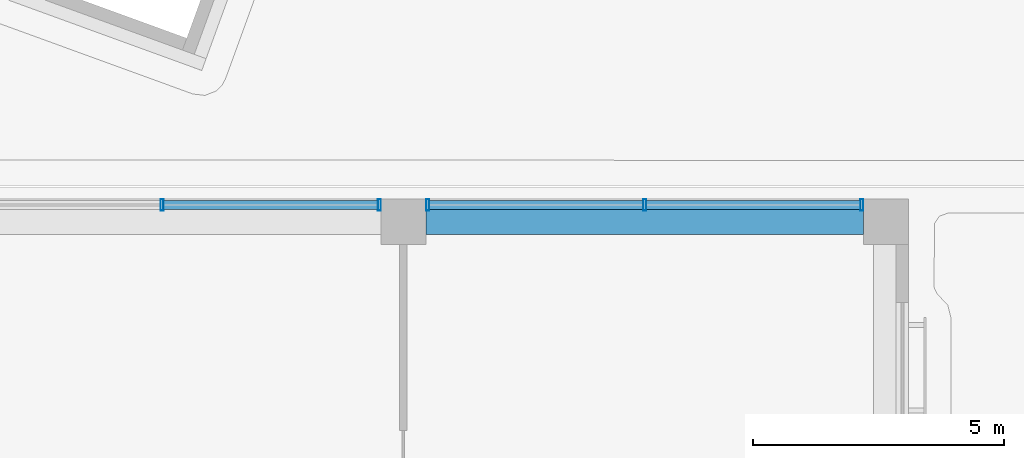
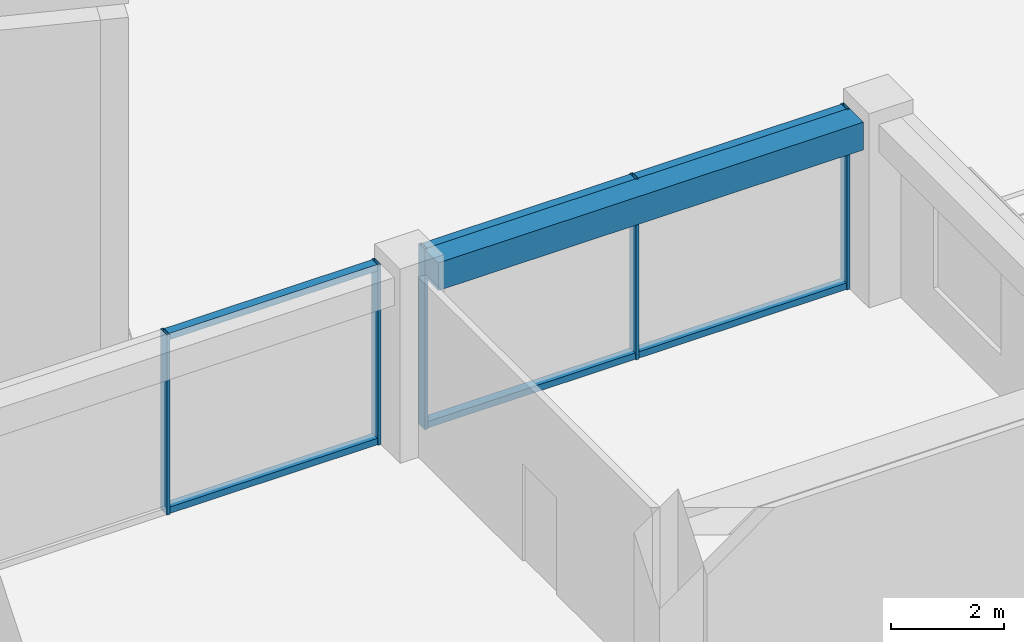
# One storey, part 30 of 72: 11 members, 1 beam, 2 elements without a shape of their own.
"""IFC4 building model written with IfcOpenShell, lengths in metres."""

import ifcopenshell
import ifcopenshell.guid

model = None  # the IFC model being written
_history = None  # IfcOwnerHistory: only IFC2X3 demands one
_inside = {}  # id of a spatial element -> (the spatial element, [elements in it])
_under = {}  # id of a project, library or spatial element -> (it, [spatial elements below it])
_declared = {}  # id of a project -> (the project, [libraries it declares])
_typed = {}  # id of a type object -> (the type object, [elements of that type])
_made_of = {}  # id of a material, layer set ... -> (it, [elements and type objects made of it])


def new_model(schema):
    """Start an empty IFC model of exactly this schema.

    Asked for "IFC4X3", IfcOpenShell would pick the latest addendum, in which some entities
    have other attributes; the version numbers below select the first issue.
    IFC2X3 requires an IfcOwnerHistory on every rooted entity: one is made here for all.
    """
    global model, _history
    if schema == "IFC4X3":
        model = ifcopenshell.file(schema_version=(4, 3, 0, 0))
    else:
        model = ifcopenshell.file(schema=schema)
    _inside.clear()
    _under.clear()
    _declared.clear()
    _typed.clear()
    _made_of.clear()
    _history = None
    if model.schema == "IFC2X3":
        org = make("IfcOrganization", Name="unknown")
        user = make(
            "IfcPersonAndOrganization",
            ThePerson=make("IfcPerson", FamilyName="unknown"),
            TheOrganization=org,
        )
        app = make(
            "IfcApplication",
            ApplicationDeveloper=org,
            Version="unknown",
            ApplicationFullName="unknown",
            ApplicationIdentifier="unknown",
        )
        _history = make(
            "IfcOwnerHistory",
            OwningUser=user,
            OwningApplication=app,
            ChangeAction="ADDED",
            CreationDate=0,
        )
    return model


def make(cls, **values):
    """One entity of the class cls with the attributes given. An attribute that is None is left unset."""
    return model.create_entity(
        cls, **{name: value for name, value in values.items() if value is not None}
    )


def rooted(cls, **values):
    """An entity with a GlobalId (a new one), such as an element, a storey or a relation."""
    return make(cls, GlobalId=ifcopenshell.guid.new(), OwnerHistory=_history, **values)


def si_unit(unit_type, name, prefix=None):
    """IfcSIUnit, for example si_unit("LENGTHUNIT", "METRE", prefix="MILLI")."""
    return make("IfcSIUnit", UnitType=unit_type, Prefix=prefix, Name=name)


def assignment(units):
    """IfcUnitAssignment: the units of a project."""
    return None if units is None else make("IfcUnitAssignment", Units=units)


def point(xyz):
    """IfcCartesianPoint."""
    return None if xyz is None else make("IfcCartesianPoint", Coordinates=xyz)


def direction(xyz):
    """IfcDirection."""
    return None if xyz is None else make("IfcDirection", DirectionRatios=xyz)


def frame(location, z_axis=None, x_axis=None):
    """IfcAxis2Placement3D, a coordinate frame: its origin and axes. An axis left out is left unset."""
    return make(
        "IfcAxis2Placement3D",
        Location=point(location),
        Axis=direction(z_axis),
        RefDirection=direction(x_axis),
    )


def frame_2d(location, x_axis=None):
    """IfcAxis2Placement2D, a coordinate frame in the plane: its origin and x axis."""
    return make(
        "IfcAxis2Placement2D", Location=point(location), RefDirection=direction(x_axis)
    )


def origin():
    """The frame at (0, 0, 0) with its axes left unset."""
    return frame((0.0, 0.0, 0.0))


def origin_2d():
    """The frame at (0, 0) in the plane with its x axis left unset."""
    return frame_2d((0.0, 0.0))


def place(relative_to, where):
    """IfcLocalPlacement: puts the frame where relative to a parent placement (None: the world)."""
    return make(
        "IfcLocalPlacement", PlacementRelTo=relative_to, RelativePlacement=where
    )


def context(
    kind, dimensions, precision=None, world=None, true_north=None, identifier=None
):
    """IfcGeometricRepresentationContext, for example the 3D "Model" context."""
    return make(
        "IfcGeometricRepresentationContext",
        ContextIdentifier=identifier,
        ContextType=kind,
        CoordinateSpaceDimension=dimensions,
        Precision=precision,
        WorldCoordinateSystem=world,
        TrueNorth=true_north,
    )


def subcontext(parent, identifier, kind, view, scale=None):
    """IfcGeometricRepresentationSubContext, for example "Body" below "Model"."""
    return make(
        "IfcGeometricRepresentationSubContext",
        ContextIdentifier=identifier,
        ContextType=kind,
        ParentContext=parent,
        TargetScale=scale,
        TargetView=view,
    )


def project(units=None, contexts=None):
    """IfcProject with its units and contexts."""
    return rooted(
        "IfcProject",
        Name="project",
        RepresentationContexts=contexts,
        UnitsInContext=assignment(units),
    )


def spatial(cls, under=None, at=None, **own):
    """A site, building, storey or space (cls), placed at a placement, below another one or the project."""
    s = rooted(cls, ObjectPlacement=at, **own)
    if under is not None:
        _under.setdefault(under.id(), (under, []))[1].append(s)
    return s


def profile(cls, at=None, kind="AREA", **sizes):
    """A parametric profile (cls). Its sizes go by their IFC names, for example OverallWidth=200.0."""
    return make(cls, ProfileType=kind, Position=at, **sizes)


def rectangle(**sizes):
    """IfcRectangleProfileDef."""
    return profile("IfcRectangleProfileDef", **sizes)


def hollow_rectangle(**sizes):
    """IfcRectangleHollowProfileDef."""
    return profile("IfcRectangleHollowProfileDef", **sizes)


def extrude(swept, where, along, depth):
    """IfcExtrudedAreaSolid: the profile swept, set in the frame where, extruded along a direction by depth."""
    return make(
        "IfcExtrudedAreaSolid",
        SweptArea=swept,
        Position=where,
        ExtrudedDirection=direction(along),
        Depth=depth,
    )


def shape(context_of_items, identifier, shape_type, items):
    """IfcShapeRepresentation: the items that make up one representation, for example the "Body"."""
    return make(
        "IfcShapeRepresentation",
        ContextOfItems=context_of_items,
        RepresentationIdentifier=identifier,
        RepresentationType=shape_type,
        Items=items,
    )


def material(Name=None, Category=None):
    """IfcMaterial."""
    return make("IfcMaterial", Name=Name, Category=Category)


def layer(
    of_material, thickness, ventilated=None, Name=None, Category=None, Priority=None
):
    """IfcMaterialLayer: one layer of a wall or slab, of a material (None: an air gap)."""
    return make(
        "IfcMaterialLayer",
        Material=of_material,
        LayerThickness=thickness,
        IsVentilated=ventilated,
        Name=Name,
        Category=Category,
        Priority=Priority,
    )


def layer_set(layers, Name=None):
    """IfcMaterialLayerSet."""
    return make("IfcMaterialLayerSet", MaterialLayers=layers, LayerSetName=Name)


def material_profile(
    of_material, cross_section, Name=None, Category=None, Priority=None
):
    """IfcMaterialProfile: a cross section and its material."""
    return make(
        "IfcMaterialProfile",
        Name=Name,
        Material=of_material,
        Profile=cross_section,
        Priority=Priority,
        Category=Category,
    )


def profile_set(profiles, Name=None, composite=None):
    """IfcMaterialProfileSet."""
    return make(
        "IfcMaterialProfileSet",
        Name=Name,
        MaterialProfiles=profiles,
        CompositeProfile=composite,
    )


def made_of(thing, what):
    """Note that an element or type object is made of a material, layer set ...; save() writes the relation."""
    if what is not None:
        _made_of.setdefault(what.id(), (what, []))[1].append(thing)
    return thing


def type_object(cls, material=None, **own):
    """A type object (cls), such as IfcWallType, which elements share."""
    return made_of(rooted(cls, **own), material)


def element(
    cls,
    number,
    at=None,
    inside=None,
    cuts=None,
    type_object=None,
    material=None,
    context=None,
    identifier="Body",
    shape_type=None,
    held_by="IfcProductDefinitionShape",
    body=None,
    shapes=None,
    **own,
):
    """One element of the class cls, such as IfcWall. Its Tag is "e" and its number.

    at: its placement. inside: the storey or other place that contains it. cuts: it is an
    opening in that element (IfcRelVoidsElement). A single representation is given by context,
    identifier, shape_type and body (its items); several are given by shapes. held_by: the class
    of the entity that holds the representations. save() writes the other relations.
    """
    e = rooted(cls, Tag="e%d" % number, ObjectPlacement=at, **own)
    if body is not None:
        shapes = [shape(context, identifier, shape_type, body)]
    if shapes is not None:
        e.Representation = make(held_by, Representations=shapes)
    if inside is not None:
        _inside.setdefault(inside.id(), (inside, []))[1].append(e)
    if cuts is not None:
        rooted(
            "IfcRelVoidsElement", RelatingBuildingElement=cuts, RelatedOpeningElement=e
        )
    if type_object is not None:
        _typed.setdefault(type_object.id(), (type_object, []))[1].append(e)
    return made_of(e, material)


def aggregate(whole, parts):
    """IfcRelAggregates: a whole, such as a stair, and the parts it consists of."""
    return rooted("IfcRelAggregates", RelatingObject=whole, RelatedObjects=parts)


def save(model, path):
    """Write the relations noted so far, then the file.

    IfcRelAggregates (storeys below a building ...), IfcRelContainedInSpatialStructure (elements
    in a storey), IfcRelDefinesByType, IfcRelAssociatesMaterial and IfcRelDeclares: one each for
    every whole, place, type object, material and project.
    """
    for whole, parts in _under.values():
        aggregate(whole, parts)
    for where, things in _inside.values():
        rooted(
            "IfcRelContainedInSpatialStructure",
            RelatedElements=things,
            RelatingStructure=where,
        )
    for kind, things in _typed.values():
        rooted("IfcRelDefinesByType", RelatedObjects=things, RelatingType=kind)
    for what, things in _made_of.values():
        rooted("IfcRelAssociatesMaterial", RelatedObjects=things, RelatingMaterial=what)
    for by, libraries in _declared.values():
        rooted("IfcRelDeclares", RelatingContext=by, RelatedDefinitions=libraries)
    model.write(path)


model = new_model("IFC4")

# Units and contexts
model_context = context("Model", 3, precision=1e-05, world=origin(), true_north=direction((0.0, 1.0)))
body_context = subcontext(model_context, "Body", "Model", "MODEL_VIEW")
ifc_project = project(units=[si_unit("LENGTHUNIT", "METRE"), si_unit("AREAUNIT", "SQUARE_METRE"), si_unit("VOLUMEUNIT", "CUBIC_METRE"), si_unit("PLANEANGLEUNIT", "RADIAN"), si_unit("MASSUNIT", "GRAM", prefix="KILO")], contexts=[model_context])

# Site, building, storey
site_placement = place(None, origin())
site = spatial("IfcSite", under=ifc_project, at=site_placement, CompositionType="ELEMENT")
building_placement = place(site_placement, origin())
building = spatial("IfcBuilding", under=site, at=building_placement, Name="Nzadi Deep Aquarium and Research Tower", CompositionType="ELEMENT")
storey_placement = place(building_placement, frame((0.0, 0.0, 31.89990234375)))
storey = spatial("IfcBuildingStorey", under=building, at=storey_placement, Name="L05", CompositionType="ELEMENT", Elevation=31.89990234375)

# Curtain wall, members
ifc_material_1 = material(Name="Aluminium unitised frame deep", Category="aluminium")
ifc_layer = layer(ifc_material_1, 0.22509765625)
ifc_layer_set = layer_set([ifc_layer], Name="Aluminium unitised frame deep")
curtain_wall_type = type_object("IfcCurtainWallType", Name="Curtain wall Unitised Deep 225", PredefinedType="NOTDEFINED", material=ifc_layer_set)
curtain_wall_1_placement = place(storey_placement, origin())
curtain_wall_1 = element("IfcCurtainWall", 1, at=curtain_wall_1_placement, inside=storey, type_object=curtain_wall_type, Name="Unitised curtain wall blade B north L05", PredefinedType="NOTDEFINED")
ifc_material_2 = material(Name="Aluminium unitised frame deep", Category="aluminium")
ifc_material_profile_1 = material_profile(ifc_material_2, hollow_rectangle(XDim=0.22509765625, YDim=0.06005859375, WallThickness=0.0048828125, at=origin_2d()))
ifc_profile_set_1 = profile_set([ifc_material_profile_1], Name="Aluminium unitised frame deep")
member_type_1 = type_object("IfcMemberType", Name="Mullion 60x225 Unitised Deep", PredefinedType="MULLION", material=ifc_profile_set_1)
member_1_placement = place(storey_placement, frame((33.60009765625, 46.33740234375, 0.0), z_axis=(0.0, 0.0, 1.0), x_axis=(0.0, 1.0, 0.0)))
member_1 = element("IfcMember", 2, at=member_1_placement, type_object=member_type_1, Name="CW086 mullion 2", PredefinedType="MULLION", context=body_context, shape_type="SweptSolid", body=[
    extrude(hollow_rectangle(XDim=0.22509765625, YDim=0.06005859375, WallThickness=0.0048828125, at=origin_2d()), origin(), (0.0, 0.0, 1.0), 3.900146484375),
])
member_2_placement = place(storey_placement, frame((37.919921875, 46.33740234375, 0.0), z_axis=(0.0, 0.0, 1.0), x_axis=(0.0, 1.0, 0.0)))
member_2 = element("IfcMember", 3, at=member_2_placement, type_object=member_type_1, Name="CW086 mullion 3", PredefinedType="MULLION", context=body_context, shape_type="SweptSolid", body=[
    extrude(hollow_rectangle(XDim=0.22509765625, YDim=0.06005859375, WallThickness=0.0048828125, at=origin_2d()), origin(), (0.0, 0.0, 1.0), 3.900146484375),
])

curtain_wall_2_placement = place(storey_placement, origin())
curtain_wall_2 = element("IfcCurtainWall", 4, at=curtain_wall_2_placement, inside=storey, type_object=curtain_wall_type, Name="Unitised curtain wall blade B north L05", PredefinedType="NOTDEFINED")
member_3_placement = place(storey_placement, frame((38.8798828125, 46.33740234375, 0.0), z_axis=(0.0, 0.0, 1.0), x_axis=(0.0, 1.0, 0.0)))
member_3 = element("IfcMember", 5, at=member_3_placement, type_object=member_type_1, Name="CW087 mullion 1", PredefinedType="MULLION", context=body_context, shape_type="SweptSolid", body=[
    extrude(hollow_rectangle(XDim=0.22509765625, YDim=0.06005859375, WallThickness=0.0048828125, at=origin_2d()), origin(), (0.0, 0.0, 1.0), 3.900146484375),
])
member_4_placement = place(storey_placement, frame((43.199951171875, 46.33740234375, 0.0), z_axis=(0.0, 0.0, 1.0), x_axis=(0.0, 1.0, 0.0)))
member_4 = element("IfcMember", 6, at=member_4_placement, type_object=member_type_1, Name="CW087 mullion 2", PredefinedType="MULLION", context=body_context, shape_type="SweptSolid", body=[
    extrude(hollow_rectangle(XDim=0.22509765625, YDim=0.06005859375, WallThickness=0.0048828125, at=origin_2d()), origin(), (0.0, 0.0, 1.0), 3.900146484375),
])
member_5_placement = place(storey_placement, frame((47.52001953125, 46.33740234375, 0.0), z_axis=(0.0, 0.0, 1.0), x_axis=(0.0, 1.0, 0.0)))
member_5 = element("IfcMember", 7, at=member_5_placement, type_object=member_type_1, Name="CW087 mullion 3", PredefinedType="MULLION", context=body_context, shape_type="SweptSolid", body=[
    extrude(hollow_rectangle(XDim=0.22509765625, YDim=0.06005859375, WallThickness=0.0048828125, at=origin_2d()), origin(), (0.0, 0.0, 1.0), 3.900146484375),
])

# Beam
ifc_material_3 = material(Name="Concrete C35/45", Category="concrete")
ifc_material_profile_2 = material_profile(ifc_material_3, rectangle(XDim=0.5, YDim=0.60009765625, at=origin_2d()))
ifc_profile_set_2 = profile_set([ifc_material_profile_2], Name="Concrete C35/45")
beam_type = type_object("IfcBeamType", Name="RC 500x600", PredefinedType="BEAM", material=ifc_profile_set_2)
beam_placement = place(storey_placement, frame((38.85009765625, 46.0, 3.60009765625), z_axis=(1.0, 0.0, 0.0), x_axis=(0.0, 1.0, 0.0)))
element("IfcBeam", 8, at=beam_placement, inside=storey, type_object=beam_type, Name="B-Z1-L05-L6-5", PredefinedType="BEAM", context=body_context, shape_type="SweptSolid", body=[
    extrude(rectangle(XDim=0.5, YDim=0.60009765625, at=origin_2d()), origin(), (0.0, 0.0, 1.0), 8.699951171875),
])

# Member
ifc_material_4 = material(Name="Aluminium unitised frame deep", Category="aluminium")
ifc_material_profile_3 = material_profile(ifc_material_4, hollow_rectangle(XDim=0.179931640625, YDim=0.139892578125, WallThickness=0.0048828125, at=origin_2d()))
ifc_profile_set_3 = profile_set([ifc_material_profile_3], Name="Aluminium unitised frame deep")
member_type_2 = type_object("IfcMemberType", Name="Transom 140x180 Unitised Deep", PredefinedType="MULLION", material=ifc_profile_set_3)
member_6_placement = place(storey_placement, frame((33.6298828125, 46.33740234375, 0.070068359375), z_axis=(1.0, 0.0, 0.0), x_axis=(0.0, 1.0, 0.0)))
member_6 = element("IfcMember", 9, at=member_6_placement, type_object=member_type_2, Name="CW086 transom 2.1", PredefinedType="MULLION", context=body_context, shape_type="SweptSolid", body=[
    extrude(hollow_rectangle(XDim=0.179931640625, YDim=0.139892578125, WallThickness=0.0048828125, at=origin_2d()), origin(), (0.0, 0.0, 1.0), 4.260009765625),
])

member_7_placement = place(storey_placement, frame((33.6298828125, 46.33740234375, 3.830078125), z_axis=(1.0, 0.0, 0.0), x_axis=(0.0, 1.0, 0.0)))
member_7 = element("IfcMember", 10, at=member_7_placement, type_object=member_type_2, Name="CW086 transom 2.2", PredefinedType="MULLION", context=body_context, shape_type="SweptSolid", body=[
    extrude(hollow_rectangle(XDim=0.179931640625, YDim=0.139892578125, WallThickness=0.0048828125, at=origin_2d()), origin(), (0.0, 0.0, 1.0), 4.260009765625),
])

aggregate(curtain_wall_1, [member_1, member_2, member_6, member_7])

member_8_placement = place(storey_placement, frame((38.909912109375, 46.33740234375, 0.070068359375), z_axis=(1.0, 0.0, 0.0), x_axis=(0.0, 1.0, 0.0)))
member_8 = element("IfcMember", 11, at=member_8_placement, type_object=member_type_2, Name="CW087 transom 1.1", PredefinedType="MULLION", context=body_context, shape_type="SweptSolid", body=[
    extrude(hollow_rectangle(XDim=0.179931640625, YDim=0.139892578125, WallThickness=0.0048828125, at=origin_2d()), origin(), (0.0, 0.0, 1.0), 4.260009765625),
])

member_9_placement = place(storey_placement, frame((38.909912109375, 46.33740234375, 3.830078125), z_axis=(1.0, 0.0, 0.0), x_axis=(0.0, 1.0, 0.0)))
member_9 = element("IfcMember", 12, at=member_9_placement, type_object=member_type_2, Name="CW087 transom 1.2", PredefinedType="MULLION", context=body_context, shape_type="SweptSolid", body=[
    extrude(hollow_rectangle(XDim=0.179931640625, YDim=0.139892578125, WallThickness=0.0048828125, at=origin_2d()), origin(), (0.0, 0.0, 1.0), 4.260009765625),
])

member_10_placement = place(storey_placement, frame((43.22998046875, 46.33740234375, 0.070068359375), z_axis=(1.0, 0.0, 0.0), x_axis=(0.0, 1.0, 0.0)))
member_10 = element("IfcMember", 13, at=member_10_placement, type_object=member_type_2, Name="CW087 transom 2.1", PredefinedType="MULLION", context=body_context, shape_type="SweptSolid", body=[
    extrude(hollow_rectangle(XDim=0.179931640625, YDim=0.139892578125, WallThickness=0.0048828125, at=origin_2d()), origin(), (0.0, 0.0, 1.0), 4.260009765625),
])

member_11_placement = place(storey_placement, frame((43.22998046875, 46.33740234375, 3.830078125), z_axis=(1.0, 0.0, 0.0), x_axis=(0.0, 1.0, 0.0)))
member_11 = element("IfcMember", 14, at=member_11_placement, type_object=member_type_2, Name="CW087 transom 2.2", PredefinedType="MULLION", context=body_context, shape_type="SweptSolid", body=[
    extrude(hollow_rectangle(XDim=0.179931640625, YDim=0.139892578125, WallThickness=0.0048828125, at=origin_2d()), origin(), (0.0, 0.0, 1.0), 4.260009765625),
])

aggregate(curtain_wall_2, [member_3, member_4, member_5, member_8, member_9, member_10, member_11])

save(model, "model.ifc")
